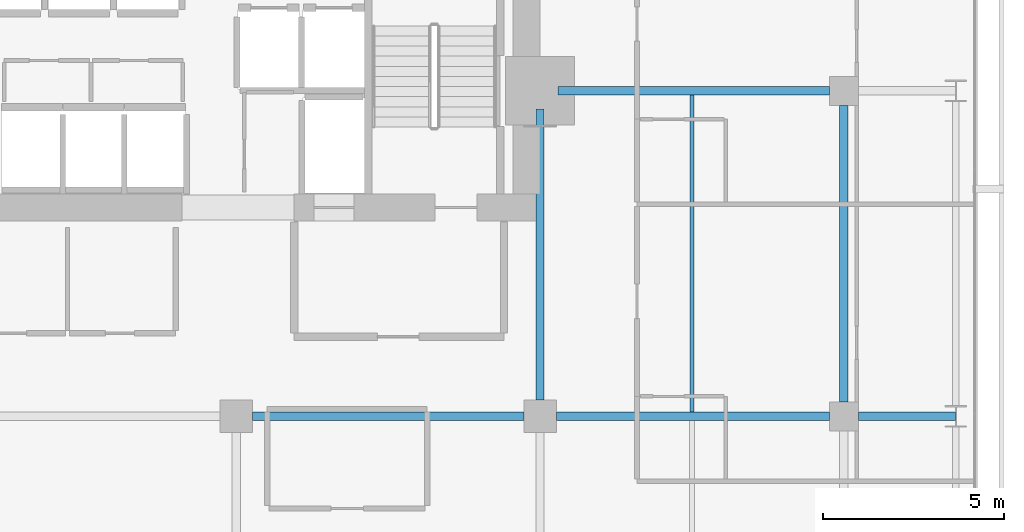
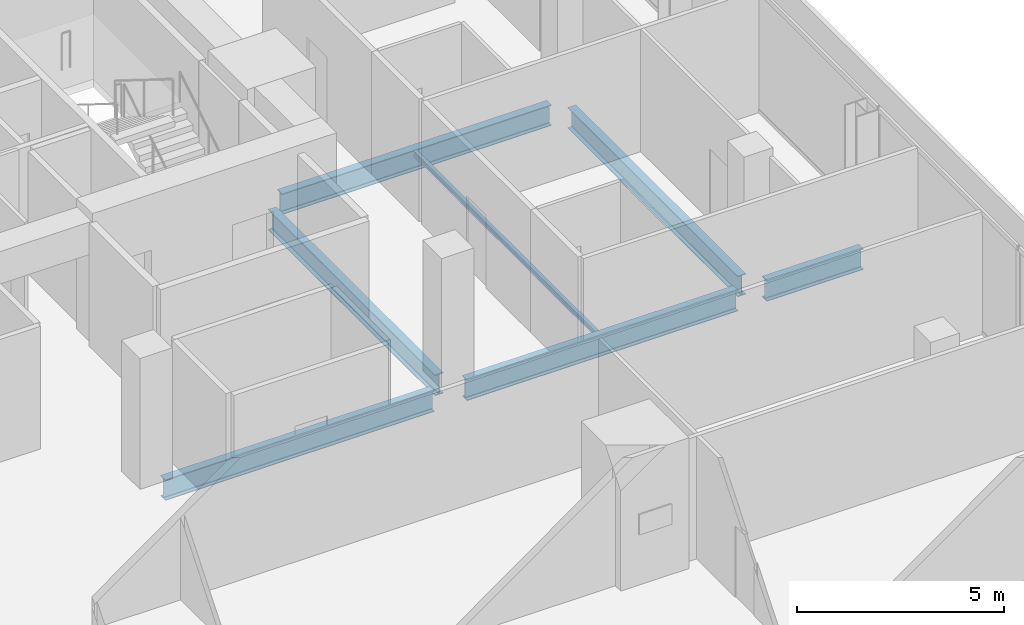
# One storey, part 23 of 34: 7 beams.
"""IFC4 building model written with IfcOpenShell, lengths in metres."""

from ifc_helpers import new_model, si_unit, direction, frame, origin, origin_2d, place, context, subcontext, project, spatial, i_section, extrude, material, material_profile, profile_set, type_object, element, save


model = new_model("IFC4")

# Units and contexts
model_context = context("Model", 3, precision=1e-05, world=origin(), true_north=direction((0.0, 1.0)))
body_context = subcontext(model_context, "Body", "Model", "MODEL_VIEW")
ifc_project = project(units=[si_unit("LENGTHUNIT", "METRE"), si_unit("AREAUNIT", "SQUARE_METRE"), si_unit("VOLUMEUNIT", "CUBIC_METRE"), si_unit("PLANEANGLEUNIT", "RADIAN"), si_unit("MASSUNIT", "GRAM", prefix="KILO")], contexts=[model_context])

# Site, building, storey
site_placement = place(None, origin())
site = spatial("IfcSite", under=ifc_project, at=site_placement, CompositionType="ELEMENT")
building_placement = place(site_placement, origin())
building = spatial("IfcBuilding", under=site, at=building_placement, Name="Maruvema Waterfront Hotel and Observation Tower", CompositionType="ELEMENT")
storey_placement = place(building_placement, frame((0.0, 0.0, 146.64990234375)))
storey = spatial("IfcBuildingStorey", under=building, at=storey_placement, Name="L35", CompositionType="ELEMENT", Elevation=146.64990234375)

# Beams
ifc_material_1 = material(Name="Steel ASTM A572 Grade 50", Category="steel")
ifc_material_profile_1 = material_profile(ifc_material_1, i_section(OverallWidth=0.22900390625, OverallDepth=0.612060546875, WebThickness=0.011962890625, FlangeThickness=0.01953125, FilletRadius=0.01806640625, at=origin_2d()), Name="W610x125.0")
ifc_profile_set_1 = profile_set([ifc_material_profile_1], Name="Steel ASTM A572 Grade 50")
beam_type_1 = type_object("IfcBeamType", Name="Primary Floor Girder W610x125.0", PredefinedType="BEAM", material=ifc_profile_set_1)
beam_1_placement = place(storey_placement, frame((42.449951171875, 36.0, -0.5458984375), z_axis=(1.0, 0.0, 0.0), x_axis=(0.0, 1.0, 0.0)))
element("IfcBeam", 1, at=beam_1_placement, inside=storey, type_object=beam_type_1, Name="L35 Floor Girder EW-27", PredefinedType="BEAM", context=body_context, shape_type="SweptSolid", body=[
    extrude(i_section(OverallWidth=0.22900390625, OverallDepth=0.612060546875, WebThickness=0.011962890625, FlangeThickness=0.01953125, FilletRadius=0.01806640625, at=origin_2d()), origin(), (0.0, 0.0, 1.0), 7.5),
])
beam_2_placement = place(storey_placement, frame((50.85009765625, 36.0, -0.5458984375), z_axis=(1.0, 0.0, 0.0), x_axis=(0.0, 1.0, 0.0)))
element("IfcBeam", 2, at=beam_2_placement, inside=storey, type_object=beam_type_1, Name="L35 Floor Girder EW-28", PredefinedType="BEAM", context=body_context, shape_type="SweptSolid", body=[
    extrude(i_section(OverallWidth=0.22900390625, OverallDepth=0.612060546875, WebThickness=0.011962890625, FlangeThickness=0.01953125, FilletRadius=0.01806640625, at=origin_2d()), origin(), (0.0, 0.0, 1.0), 7.5498046875),
])
beam_3_placement = place(storey_placement, frame((59.199951171875, 36.0, -0.5458984375), z_axis=(1.0, 0.0, 0.0), x_axis=(0.0, 1.0, 0.0)))
element("IfcBeam", 3, at=beam_3_placement, inside=storey, type_object=beam_type_1, Name="L35 Floor Girder EW-29", PredefinedType="BEAM", context=body_context, shape_type="SweptSolid", body=[
    extrude(i_section(OverallWidth=0.22900390625, OverallDepth=0.612060546875, WebThickness=0.011962890625, FlangeThickness=0.01953125, FilletRadius=0.01806640625, at=origin_2d()), origin(), (0.0, 0.0, 1.0), 2.6875),
])
beam_4_placement = place(storey_placement, frame((50.89990234375, 45.0, -0.5458984375), z_axis=(1.0, 0.0, 0.0), x_axis=(0.0, 1.0, 0.0)))
element("IfcBeam", 4, at=beam_4_placement, inside=storey, type_object=beam_type_1, Name="L35 Floor Girder EW-32", PredefinedType="BEAM", context=body_context, shape_type="SweptSolid", body=[
    extrude(i_section(OverallWidth=0.22900390625, OverallDepth=0.612060546875, WebThickness=0.011962890625, FlangeThickness=0.01953125, FilletRadius=0.01806640625, at=origin_2d()), origin(), (0.0, 0.0, 1.0), 7.5),
])
beam_5_placement = place(storey_placement, frame((50.39990234375, 36.449951171875, -0.5458984375), z_axis=(0.0, 1.0, 0.0), x_axis=(-1.0, 0.0, 0.0)))
element("IfcBeam", 5, at=beam_5_placement, inside=storey, type_object=beam_type_1, Name="L35 Floor Girder NS-24", PredefinedType="BEAM", context=body_context, shape_type="SweptSolid", body=[
    extrude(i_section(OverallWidth=0.22900390625, OverallDepth=0.612060546875, WebThickness=0.011962890625, FlangeThickness=0.01953125, FilletRadius=0.01806640625, at=origin_2d()), origin(), (0.0, 0.0, 1.0), 8.050048828125),
])
beam_6_placement = place(storey_placement, frame((58.800048828125, 36.39990234375, -0.5458984375), z_axis=(0.0, 1.0, 0.0), x_axis=(-1.0, 0.0, 0.0)))
element("IfcBeam", 6, at=beam_6_placement, inside=storey, type_object=beam_type_1, Name="L35 Floor Girder NS-28", PredefinedType="BEAM", context=body_context, shape_type="SweptSolid", body=[
    extrude(i_section(OverallWidth=0.22900390625, OverallDepth=0.612060546875, WebThickness=0.011962890625, FlangeThickness=0.01953125, FilletRadius=0.01806640625, at=origin_2d()), origin(), (0.0, 0.0, 1.0), 8.2001953125),
])
ifc_material_2 = material(Name="Steel ASTM A572 Grade 50", Category="steel")
ifc_material_profile_2 = material_profile(ifc_material_2, i_section(OverallWidth=0.10009765625, OverallDepth=0.153076171875, WebThickness=0.005859375, FlangeThickness=0.007080078125, FilletRadius=0.008056640625, at=origin_2d()), Name="W150x18.0")
ifc_profile_set_2 = profile_set([ifc_material_profile_2], Name="Steel ASTM A572 Grade 50")
beam_type_2 = type_object("IfcBeamType", Name="Secondary Floor Joist W150x18.0", PredefinedType="JOIST", material=ifc_profile_set_2)
beam_7_placement = place(storey_placement, frame((54.60009765625, 36.114501953125, -0.31640625), z_axis=(0.0, 1.0, 0.0), x_axis=(-1.0, 0.0, 0.0)))
element("IfcBeam", 7, at=beam_7_placement, inside=storey, type_object=beam_type_2, Name="L35 Secondary Floor Joist JS-14", PredefinedType="JOIST", context=body_context, shape_type="SweptSolid", body=[
    extrude(i_section(OverallWidth=0.10009765625, OverallDepth=0.153076171875, WebThickness=0.005859375, FlangeThickness=0.007080078125, FilletRadius=0.008056640625, at=origin_2d()), origin(), (0.0, 0.0, 1.0), 8.77099609375),
])

save(model, "model.ifc")
